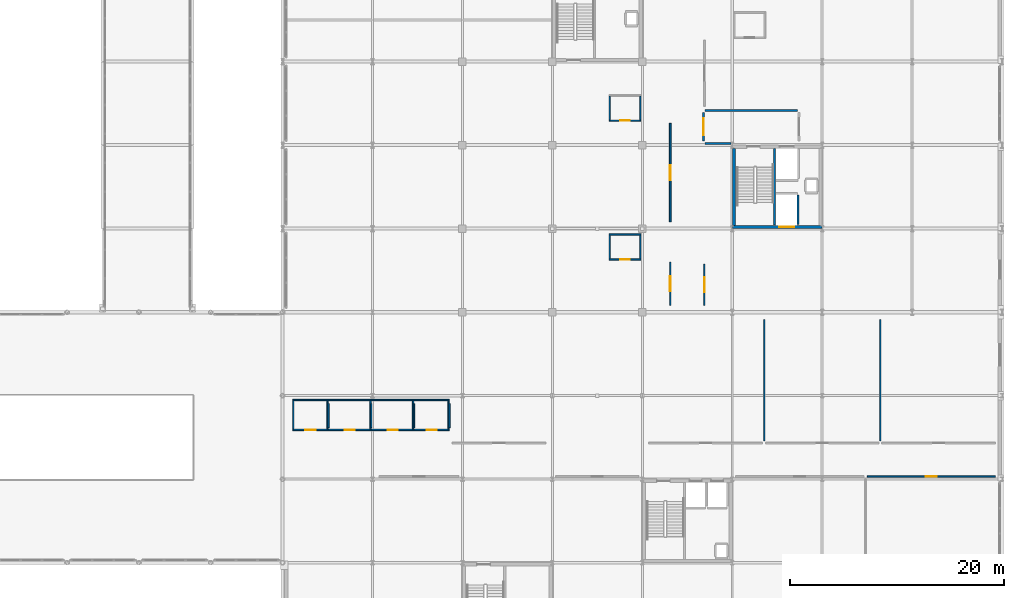
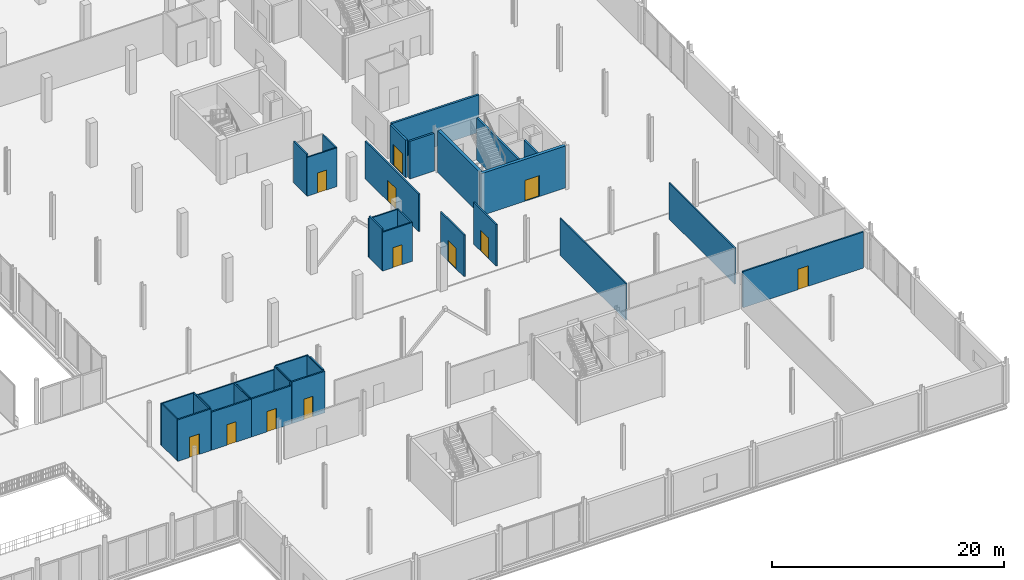
# One storey, part 73 of 98: 37 walls, 12 doors, 12 openings.
"""IFC4 building model written with IfcOpenShell, lengths in metres."""

from ifc_helpers import new_model, si_unit, direction, frame, frame_2d, origin, place, context, subcontext, project, spatial, rectangle, extrude, material, layer, layer_set, type_object, element, fill, save


model = new_model("IFC4")

# Units and contexts
model_context = context("Model", 3, precision=1e-05, world=origin(), true_north=direction((0.0, 1.0)))
body_context = subcontext(model_context, "Body", "Model", "MODEL_VIEW")
ifc_project = project(units=[si_unit("LENGTHUNIT", "METRE"), si_unit("AREAUNIT", "SQUARE_METRE"), si_unit("VOLUMEUNIT", "CUBIC_METRE"), si_unit("PLANEANGLEUNIT", "RADIAN"), si_unit("MASSUNIT", "GRAM", prefix="KILO")], contexts=[model_context])

# Site, building, storey
site_placement = place(None, origin())
site = spatial("IfcSite", under=ifc_project, at=site_placement, CompositionType="ELEMENT")
building_placement = place(site_placement, origin())
building = spatial("IfcBuilding", under=site, at=building_placement, Name="Nabrawat Pavilion Hospital", CompositionType="ELEMENT")
storey_placement = place(building_placement, frame((0.0, 0.0, 10.199951171875)))
storey = spatial("IfcBuildingStorey", under=building, at=storey_placement, Name="L02", CompositionType="ELEMENT", Elevation=10.199951171875)

# Wall, opening, door
ifc_material_1 = material(Name="Gypsum Fireboard on Steel Stud", Category="steel")
ifc_layer_1 = layer(ifc_material_1, 0.14990234375, Name="Gypsum Fireboard on Steel Stud")
ifc_layer_set_1 = layer_set([ifc_layer_1], Name="Gypsum Fireboard on Steel Stud")
wall_type_1 = type_object("IfcWallType", Name="Clinical Corridor Smoke-Barrier Wall 150", PredefinedType="PARTITIONING", material=ifc_layer_set_1)
wall_1_placement = place(storey_placement, frame((126.93505859375, 28.0, 0.0), z_axis=(0.0, 0.0, 1.0), x_axis=(1.0, 0.0, 0.0)))
wall_1 = element("IfcWall", 1, at=wall_1_placement, inside=storey, type_object=wall_type_1, Name="L02 L02 Accessible WC Front Partition", PredefinedType="PARTITIONING", context=body_context, shape_type="SweptSolid", body=[
    extrude(rectangle(XDim=3.329833984375, YDim=0.14990234375, at=frame_2d((1.6650390625, 0.0))), origin(), (0.0, 0.0, 1.0), 4.3701171875),
])
opening_1_placement = place(wall_1_placement, frame((1.1650390625, 0.0, 0.0)))
opening_1 = element("IfcOpeningElement", 2, at=opening_1_placement, cuts=wall_1, Name="Opening D-WC-ACC", PredefinedType="OPENING", context=body_context, shape_type="SweptSolid", body=[
    extrude(rectangle(XDim=1.0, YDim=2.14990234375, at=frame_2d((0.5, 1.074951171875))), frame((0.0, 0.0849609375, 0.0), z_axis=(0.0, -1.0, 0.0), x_axis=(1.0, 0.0, 0.0)), (0.0, 0.0, 1.0), 0.169921875),
])
ifc_material_2 = material(Name="Stainless-Clad Acoustic Timber and Vision Glass", Category="wood")
door_type_1 = type_object("IfcDoorType", Name="Accessible Washroom Outward Door 1000x2150", OperationType="NOTDEFINED", PredefinedType="DOOR", material=ifc_material_2)
door_1_placement = place(opening_1_placement, origin())
door_1 = element("IfcDoor", 3, at=door_1_placement, inside=storey, type_object=door_type_1, Name="L02 Accessible WC Door", OperationType="SINGLE_SWING_LEFT", OverallHeight=2.14990234375, OverallWidth=1.0, PredefinedType="DOOR", context=body_context, shape_type="SweptSolid", body=[
    extrude(rectangle(XDim=1.0, YDim=2.14990234375, at=frame_2d((0.5, 1.074951171875))), frame((0.0, 0.02490234375, 0.0), z_axis=(0.0, -1.0, 0.0), x_axis=(1.0, 0.0, 0.0)), (0.0, 0.0, 1.0), 0.050048828125),
])
fill(opening_1, door_1)

wall_2_placement = place(storey_placement, frame((130.294921875, 28.0, 0.0), z_axis=(0.0, 0.0, 1.0), x_axis=(1.0, 0.0, 0.0)))
wall_2 = element("IfcWall", 4, at=wall_2_placement, inside=storey, type_object=wall_type_1, Name="L02 L02 Visitor Female Washroom Front Partition", PredefinedType="PARTITIONING", context=body_context, shape_type="SweptSolid", body=[
    extrude(rectangle(XDim=3.969970703125, YDim=0.14990234375, at=frame_2d((1.98486328125, 0.0))), origin(), (0.0, 0.0, 1.0), 4.0),
])
opening_2_placement = place(wall_2_placement, frame((1.52490234375, 0.0, 0.0)))
opening_2 = element("IfcOpeningElement", 5, at=opening_2_placement, cuts=wall_2, Name="Opening D-WC-STD", PredefinedType="OPENING", context=body_context, shape_type="SweptSolid", body=[
    extrude(rectangle(XDim=0.919921875, YDim=2.14990234375, at=frame_2d((0.4599609375, 1.074951171875))), frame((0.0, 0.0849609375, 0.0), z_axis=(0.0, -1.0, 0.0), x_axis=(1.0, 0.0, 0.0)), (0.0, 0.0, 1.0), 0.169921875),
])
door_type_2 = type_object("IfcDoorType", Name="Washroom Lobby Privacy Door 920x2150", OperationType="NOTDEFINED", PredefinedType="DOOR", material=ifc_material_2)
door_2_placement = place(opening_2_placement, origin())
door_2 = element("IfcDoor", 6, at=door_2_placement, inside=storey, type_object=door_type_2, Name="L02 Visitor Female Washroom Door", OperationType="SINGLE_SWING_RIGHT", OverallHeight=2.14990234375, OverallWidth=0.919921875, PredefinedType="DOOR", context=body_context, shape_type="SweptSolid", body=[
    extrude(rectangle(XDim=0.919921875, YDim=2.14990234375, at=frame_2d((0.4599609375, 1.074951171875))), frame((0.0, 0.02490234375, 0.0), z_axis=(0.0, -1.0, 0.0), x_axis=(1.0, 0.0, 0.0)), (0.0, 0.0, 1.0), 0.050048828125),
])
fill(opening_2, door_2)

wall_3_placement = place(storey_placement, frame((134.294921875, 28.0, 0.0), z_axis=(0.0, 0.0, 1.0), x_axis=(1.0, 0.0, 0.0)))
wall_3 = element("IfcWall", 7, at=wall_3_placement, inside=storey, type_object=wall_type_1, Name="L02 L02 Visitor Male Washroom Front Partition", PredefinedType="PARTITIONING", context=body_context, shape_type="SweptSolid", body=[
    extrude(rectangle(XDim=3.969970703125, YDim=0.14990234375, at=frame_2d((1.98486328125, 0.0))), origin(), (0.0, 0.0, 1.0), 4.0),
])
opening_3_placement = place(wall_3_placement, frame((1.52490234375, 0.0, 0.0)))
opening_3 = element("IfcOpeningElement", 8, at=opening_3_placement, cuts=wall_3, Name="Opening D-WC-STD", PredefinedType="OPENING", context=body_context, shape_type="SweptSolid", body=[
    extrude(rectangle(XDim=0.919921875, YDim=2.14990234375, at=frame_2d((0.4599609375, 1.074951171875))), frame((0.0, 0.0849609375, 0.0), z_axis=(0.0, -1.0, 0.0), x_axis=(1.0, 0.0, 0.0)), (0.0, 0.0, 1.0), 0.169921875),
])
door_3_placement = place(opening_3_placement, origin())
door_3 = element("IfcDoor", 9, at=door_3_placement, inside=storey, type_object=door_type_2, Name="L02 Visitor Male Washroom Door", OperationType="SINGLE_SWING_LEFT", OverallHeight=2.14990234375, OverallWidth=0.919921875, PredefinedType="DOOR", context=body_context, shape_type="SweptSolid", body=[
    extrude(rectangle(XDim=0.919921875, YDim=2.14990234375, at=frame_2d((0.4599609375, 1.074951171875))), frame((0.0, 0.02490234375, 0.0), z_axis=(0.0, -1.0, 0.0), x_axis=(1.0, 0.0, 0.0)), (0.0, 0.0, 1.0), 0.050048828125),
])
fill(opening_3, door_3)

wall_4_placement = place(storey_placement, frame((138.294921875, 28.0, 0.0), z_axis=(0.0, 0.0, 1.0), x_axis=(1.0, 0.0, 0.0)))
wall_4 = element("IfcWall", 10, at=wall_4_placement, inside=storey, type_object=wall_type_1, Name="L02 L02 Clean Utility Room Front Partition", PredefinedType="PARTITIONING", context=body_context, shape_type="SweptSolid", body=[
    extrude(rectangle(XDim=3.27001953125, YDim=0.14990234375, at=frame_2d((1.635009765625, 0.0))), origin(), (0.0, 0.0, 1.0), 4.3701171875),
])
opening_4_placement = place(wall_4_placement, frame((1.175048828125, 0.0, 0.0)))
opening_4 = element("IfcOpeningElement", 11, at=opening_4_placement, cuts=wall_4, Name="Opening D-WC-STD", PredefinedType="OPENING", context=body_context, shape_type="SweptSolid", body=[
    extrude(rectangle(XDim=0.919921875, YDim=2.14990234375, at=frame_2d((0.4599609375, 1.074951171875))), frame((0.0, 0.0849609375, 0.0), z_axis=(0.0, -1.0, 0.0), x_axis=(1.0, 0.0, 0.0)), (0.0, 0.0, 1.0), 0.169921875),
])
door_4_placement = place(opening_4_placement, origin())
door_4 = element("IfcDoor", 12, at=door_4_placement, inside=storey, type_object=door_type_2, Name="L02 Clean Utility Room Door", OperationType="SINGLE_SWING_RIGHT", OverallHeight=2.14990234375, OverallWidth=0.919921875, PredefinedType="DOOR", context=body_context, shape_type="SweptSolid", body=[
    extrude(rectangle(XDim=0.919921875, YDim=2.14990234375, at=frame_2d((0.4599609375, 1.074951171875))), frame((0.0, 0.02490234375, 0.0), z_axis=(0.0, -1.0, 0.0), x_axis=(1.0, 0.0, 0.0)), (0.0, 0.0, 1.0), 0.050048828125),
])
fill(opening_4, door_4)

wall_5_placement = place(storey_placement, frame((180.610107421875, 23.635009765625, 0.0), z_axis=(0.0, 0.0, 1.0), x_axis=(1.0, 0.0, 0.0)))
wall_5 = element("IfcWall", 13, at=wall_5_placement, inside=storey, type_object=wall_type_1, Name="L02 Outpatient Clinic Behavioural Health Room L02-04 Front Partition", PredefinedType="PARTITIONING", context=body_context, shape_type="SweptSolid", body=[
    extrude(rectangle(XDim=11.969970703125, YDim=0.14990234375, at=frame_2d((5.98486328125, 0.0))), origin(), (0.0, 0.0, 1.0), 3.800048828125),
])
opening_5_placement = place(wall_5_placement, frame((5.4599609375, 0.0, 0.0)))
opening_5 = element("IfcOpeningElement", 14, at=opening_5_placement, cuts=wall_5, Name="Opening D-OPC-R", PredefinedType="OPENING", context=body_context, shape_type="SweptSolid", body=[
    extrude(rectangle(XDim=1.050048828125, YDim=2.14990234375, at=frame_2d((0.52490234375, 1.074951171875))), frame((0.0, 0.0849609375, 0.0), z_axis=(0.0, -1.0, 0.0), x_axis=(1.0, 0.0, 0.0)), (0.0, 0.0, 1.0), 0.169921875),
])
door_type_3 = type_object("IfcDoorType", Name="Outpatient Clinic Consultation Door R 1050x2150", OperationType="NOTDEFINED", PredefinedType="DOOR", material=ifc_material_2)
door_5_placement = place(opening_5_placement, origin())
door_5 = element("IfcDoor", 15, at=door_5_placement, inside=storey, type_object=door_type_3, Name="Outpatient Clinic Behavioural Health Room L02-04 Door", OperationType="SINGLE_SWING_LEFT", OverallHeight=2.14990234375, OverallWidth=1.050048828125, PredefinedType="DOOR", context=body_context, shape_type="SweptSolid", body=[
    extrude(rectangle(XDim=1.050048828125, YDim=2.14990234375, at=frame_2d((0.52490234375, 1.074951171875))), frame((0.0, 0.02490234375, 0.0), z_axis=(0.0, -1.0, 0.0), x_axis=(1.0, 0.0, 0.0)), (0.0, 0.0, 1.0), 0.050048828125),
])
fill(opening_5, door_5)

wall_6_placement = place(storey_placement, frame((162.2099609375, 39.6201171875, 0.0), z_axis=(0.0, 0.0, 1.0), x_axis=(0.0, 1.0, 0.0)))
wall_6 = element("IfcWall", 16, at=wall_6_placement, inside=storey, type_object=wall_type_1, Name="L02 Inpatient Ward Surgical Single Bedroom L02-01 Front Partition", PredefinedType="PARTITIONING", context=body_context, shape_type="SweptSolid", body=[
    extrude(rectangle(XDim=4.0498046875, YDim=0.14990234375, at=frame_2d((2.02490234375, 0.0))), origin(), (0.0, 0.0, 1.0), 4.3701171875),
])
opening_6_placement = place(wall_6_placement, frame((1.324951171875, 0.0, 0.0)))
opening_6 = element("IfcOpeningElement", 17, at=opening_6_placement, cuts=wall_6, Name="Opening D-BED", PredefinedType="OPENING", context=body_context, shape_type="SweptSolid", body=[
    extrude(rectangle(XDim=1.39990234375, YDim=2.199951171875, at=frame_2d((0.699951171875, 1.10009765625))), frame((0.0, 0.0849609375, 0.0), z_axis=(0.0, -1.0, 0.0), x_axis=(1.0, 0.0, 0.0)), (0.0, 0.0, 1.0), 0.169921875),
])
door_type_4 = type_object("IfcDoorType", Name="D-BED Inpatient Ward Leaf-and-a-Half Door 1400x2200", OperationType="NOTDEFINED", PredefinedType="DOOR", material=ifc_material_2)
door_6_placement = place(opening_6_placement, origin())
door_6 = element("IfcDoor", 18, at=door_6_placement, inside=storey, type_object=door_type_4, Name="Inpatient Ward Surgical Single Bedroom L02-01 Door", OperationType="SINGLE_SWING_RIGHT", OverallHeight=2.199951171875, OverallWidth=1.39990234375, PredefinedType="DOOR", context=body_context, shape_type="SweptSolid", body=[
    extrude(rectangle(XDim=1.39990234375, YDim=2.199951171875, at=frame_2d((0.699951171875, 1.10009765625))), frame((0.0, 0.02490234375, 0.0), z_axis=(0.0, -1.0, 0.0), x_axis=(1.0, 0.0, 0.0)), (0.0, 0.0, 1.0), 0.050048828125),
])
fill(opening_6, door_6)

wall_7_placement = place(storey_placement, frame((162.2099609375, 47.419921875, 0.0), z_axis=(0.0, 0.0, 1.0), x_axis=(0.0, 1.0, 0.0)))
wall_7 = element("IfcWall", 19, at=wall_7_placement, inside=storey, type_object=wall_type_1, Name="L02 Inpatient Ward Surgical Two-Bed Room L02-02 Front Partition", PredefinedType="PARTITIONING", context=body_context, shape_type="SweptSolid", body=[
    extrude(rectangle(XDim=9.219970703125, YDim=0.14990234375, at=frame_2d((4.60986328125, 0.0))), origin(), (0.0, 0.0, 1.0), 3.949951171875),
])
opening_7_placement = place(wall_7_placement, frame((3.909912109375, 0.0, 0.0)))
opening_7 = element("IfcOpeningElement", 20, at=opening_7_placement, cuts=wall_7, Name="Opening D-BED", PredefinedType="OPENING", context=body_context, shape_type="SweptSolid", body=[
    extrude(rectangle(XDim=1.39990234375, YDim=2.199951171875, at=frame_2d((0.699951171875, 1.10009765625))), frame((0.0, 0.0849609375, 0.0), z_axis=(0.0, -1.0, 0.0), x_axis=(1.0, 0.0, 0.0)), (0.0, 0.0, 1.0), 0.169921875),
])
door_7_placement = place(opening_7_placement, origin())
door_7 = element("IfcDoor", 21, at=door_7_placement, inside=storey, type_object=door_type_4, Name="Inpatient Ward Surgical Two-Bed Room L02-02 Door", OperationType="SINGLE_SWING_RIGHT", OverallHeight=2.199951171875, OverallWidth=1.39990234375, PredefinedType="DOOR", context=body_context, shape_type="SweptSolid", body=[
    extrude(rectangle(XDim=1.39990234375, YDim=2.199951171875, at=frame_2d((0.699951171875, 1.10009765625))), frame((0.0, 0.02490234375, 0.0), z_axis=(0.0, -1.0, 0.0), x_axis=(1.0, 0.0, 0.0)), (0.0, 0.0, 1.0), 0.050048828125),
])
fill(opening_7, door_7)

wall_8_placement = place(storey_placement, frame((165.389892578125, 39.6201171875, 0.0), z_axis=(0.0, 0.0, 1.0), x_axis=(0.0, 1.0, 0.0)))
wall_8 = element("IfcWall", 22, at=wall_8_placement, inside=storey, type_object=wall_type_1, Name="L02 Inpatient Ward Surgical Two-Bed Room L02-08 Front Partition", PredefinedType="PARTITIONING", context=body_context, shape_type="SweptSolid", body=[
    extrude(rectangle(XDim=3.8798828125, YDim=0.14990234375, at=frame_2d((1.93994140625, 0.0))), origin(), (0.0, 0.0, 1.0), 4.3701171875),
])
opening_8_placement = place(wall_8_placement, frame((1.239990234375, 0.0, 0.0)))
opening_8 = element("IfcOpeningElement", 23, at=opening_8_placement, cuts=wall_8, Name="Opening D-BED", PredefinedType="OPENING", context=body_context, shape_type="SweptSolid", body=[
    extrude(rectangle(XDim=1.39990234375, YDim=2.199951171875, at=frame_2d((0.699951171875, 1.10009765625))), frame((0.0, 0.0849609375, 0.0), z_axis=(0.0, -1.0, 0.0), x_axis=(1.0, 0.0, 0.0)), (0.0, 0.0, 1.0), 0.169921875),
])
door_8_placement = place(opening_8_placement, origin())
door_8 = element("IfcDoor", 24, at=door_8_placement, inside=storey, type_object=door_type_4, Name="Inpatient Ward Surgical Two-Bed Room L02-08 Door", OperationType="SINGLE_SWING_LEFT", OverallHeight=2.199951171875, OverallWidth=1.39990234375, PredefinedType="DOOR", context=body_context, shape_type="SweptSolid", body=[
    extrude(rectangle(XDim=1.39990234375, YDim=2.199951171875, at=frame_2d((0.699951171875, 1.10009765625))), frame((0.0, 0.02490234375, 0.0), z_axis=(0.0, -1.0, 0.0), x_axis=(1.0, 0.0, 0.0)), (0.0, 0.0, 1.0), 0.050048828125),
])
fill(opening_8, door_8)

# Walls
ifc_material_3 = material(Name="Cement Board on Steel Stud", Category="steel")
ifc_layer_2 = layer(ifc_material_3, 0.1298828125, Name="Cement Board on Steel Stud")
ifc_layer_set_2 = layer_set([ifc_layer_2], Name="Cement Board on Steel Stud")
wall_type_2 = type_object("IfcWallType", Name="En-Suite Moisture-Resistant Partition 130", PredefinedType="PARTITIONING", material=ifc_layer_set_2)
wall_9_placement = place(storey_placement, frame((126.93505859375, 30.800048828125, 0.0), z_axis=(0.0, 0.0, 1.0), x_axis=(1.0, 0.0, 0.0)))
element("IfcWall", 25, at=wall_9_placement, inside=storey, type_object=wall_type_2, Name="L02 L02 Accessible WC North Partition", PredefinedType="PARTITIONING", context=body_context, shape_type="SweptSolid", body=[
    extrude(rectangle(XDim=3.329833984375, YDim=0.1298828125, at=frame_2d((1.6650390625, 0.0))), origin(), (0.0, 0.0, 1.0), 4.3701171875),
])
for number, where, z_axis, x_axis, name in (
    (26, (127.0, 28.06494140625, 0.0), (0.0, 0.0, 1.0), (0.0, 1.0, 0.0), "L02 L02 Accessible WC West Partition"),
    (27, (130.199951171875, 28.06494140625, 0.0), (0.0, 0.0, 1.0), (0.0, 1.0, 0.0), "L02 L02 Accessible WC East Partition"),
):
    element("IfcWall", number, at=place(storey_placement, frame(where, z_axis=z_axis, x_axis=x_axis)), inside=storey, type_object=wall_type_2, Name=name, PredefinedType="PARTITIONING", context=body_context, shape_type="SweptSolid", body=[
        extrude(rectangle(XDim=2.670166015625, YDim=0.1298828125, at=frame_2d((1.3349609375, 0.0))), origin(), (0.0, 0.0, 1.0), 4.3701171875),
    ])
wall_10_placement = place(storey_placement, frame((130.280029296875, 28.219970703125, 0.0), z_axis=(0.0, 0.0, 1.0), x_axis=(0.0, 1.0, 0.0)))
element("IfcWall", 28, at=wall_10_placement, inside=storey, type_object=wall_type_2, Name="L02 L02 Accessible WC Dividing Partition", PredefinedType="PARTITIONING", context=body_context, shape_type="SweptSolid", body=[
    extrude(rectangle(XDim=2.22998046875, YDim=0.1298828125, at=frame_2d((1.114990234375, 0.0))), origin(), (0.0, 0.0, 1.0), 4.3701171875),
])
wall_11_placement = place(storey_placement, frame((130.294921875, 30.800048828125, 0.0), z_axis=(0.0, 0.0, 1.0), x_axis=(1.0, 0.0, 0.0)))
element("IfcWall", 29, at=wall_11_placement, inside=storey, type_object=wall_type_2, Name="L02 L02 Visitor Female Washroom North Partition", PredefinedType="PARTITIONING", context=body_context, shape_type="SweptSolid", body=[
    extrude(rectangle(XDim=3.969970703125, YDim=0.1298828125, at=frame_2d((1.98486328125, 0.0))), origin(), (0.0, 0.0, 1.0), 4.0),
])
wall_12_placement = place(storey_placement, frame((134.199951171875, 28.06494140625, 0.0), z_axis=(0.0, 0.0, 1.0), x_axis=(0.0, 1.0, 0.0)))
element("IfcWall", 30, at=wall_12_placement, inside=storey, type_object=wall_type_2, Name="L02 L02 Visitor Female Washroom East Partition", PredefinedType="PARTITIONING", context=body_context, shape_type="SweptSolid", body=[
    extrude(rectangle(XDim=2.670166015625, YDim=0.1298828125, at=frame_2d((1.3349609375, 0.0))), origin(), (0.0, 0.0, 1.0), 4.0),
])
wall_13_placement = place(storey_placement, frame((134.280029296875, 28.219970703125, 0.0), z_axis=(0.0, 0.0, 1.0), x_axis=(0.0, 1.0, 0.0)))
element("IfcWall", 31, at=wall_13_placement, inside=storey, type_object=wall_type_2, Name="L02 L02 Visitor Female Washroom Dividing Partition", PredefinedType="PARTITIONING", context=body_context, shape_type="SweptSolid", body=[
    extrude(rectangle(XDim=2.22998046875, YDim=0.1298828125, at=frame_2d((1.114990234375, 0.0))), origin(), (0.0, 0.0, 1.0), 4.0),
])
wall_14_placement = place(storey_placement, frame((134.294921875, 30.800048828125, 0.0), z_axis=(0.0, 0.0, 1.0), x_axis=(1.0, 0.0, 0.0)))
element("IfcWall", 32, at=wall_14_placement, inside=storey, type_object=wall_type_2, Name="L02 L02 Visitor Male Washroom North Partition", PredefinedType="PARTITIONING", context=body_context, shape_type="SweptSolid", body=[
    extrude(rectangle(XDim=3.969970703125, YDim=0.1298828125, at=frame_2d((1.98486328125, 0.0))), origin(), (0.0, 0.0, 1.0), 4.0),
])
wall_15_placement = place(storey_placement, frame((138.199951171875, 28.06494140625, 0.0), z_axis=(0.0, 0.0, 1.0), x_axis=(0.0, 1.0, 0.0)))
element("IfcWall", 33, at=wall_15_placement, inside=storey, type_object=wall_type_2, Name="L02 L02 Visitor Male Washroom East Partition", PredefinedType="PARTITIONING", context=body_context, shape_type="SweptSolid", body=[
    extrude(rectangle(XDim=2.670166015625, YDim=0.1298828125, at=frame_2d((1.3349609375, 0.0))), origin(), (0.0, 0.0, 1.0), 4.3701171875),
])
wall_16_placement = place(storey_placement, frame((138.280029296875, 28.219970703125, 0.0), z_axis=(0.0, 0.0, 1.0), x_axis=(0.0, 1.0, 0.0)))
element("IfcWall", 34, at=wall_16_placement, inside=storey, type_object=wall_type_2, Name="L02 L02 Visitor Male Washroom Dividing Partition", PredefinedType="PARTITIONING", context=body_context, shape_type="SweptSolid", body=[
    extrude(rectangle(XDim=2.22998046875, YDim=0.1298828125, at=frame_2d((1.114990234375, 0.0))), origin(), (0.0, 0.0, 1.0), 4.3701171875),
])
wall_17_placement = place(storey_placement, frame((138.294921875, 30.800048828125, 0.0), z_axis=(0.0, 0.0, 1.0), x_axis=(1.0, 0.0, 0.0)))
element("IfcWall", 35, at=wall_17_placement, inside=storey, type_object=wall_type_2, Name="L02 L02 Clean Utility Room North Partition", PredefinedType="PARTITIONING", context=body_context, shape_type="SweptSolid", body=[
    extrude(rectangle(XDim=3.27001953125, YDim=0.1298828125, at=frame_2d((1.635009765625, 0.0))), origin(), (0.0, 0.0, 1.0), 4.3701171875),
])
wall_18_placement = place(storey_placement, frame((141.5, 28.06494140625, 0.0), z_axis=(0.0, 0.0, 1.0), x_axis=(0.0, 1.0, 0.0)))
element("IfcWall", 36, at=wall_18_placement, inside=storey, type_object=wall_type_2, Name="L02 L02 Clean Utility Room East Partition", PredefinedType="PARTITIONING", context=body_context, shape_type="SweptSolid", body=[
    extrude(rectangle(XDim=2.670166015625, YDim=0.1298828125, at=frame_2d((1.3349609375, 0.0))), origin(), (0.0, 0.0, 1.0), 4.3701171875),
])
wall_19_placement = place(storey_placement, frame((141.580078125, 28.219970703125, 0.0), z_axis=(0.0, 0.0, 1.0), x_axis=(0.0, 1.0, 0.0)))
element("IfcWall", 37, at=wall_19_placement, inside=storey, type_object=wall_type_2, Name="L02 L02 Clean Utility Room Dividing Partition", PredefinedType="PARTITIONING", context=body_context, shape_type="SweptSolid", body=[
    extrude(rectangle(XDim=2.22998046875, YDim=0.1298828125, at=frame_2d((1.114990234375, 0.0))), origin(), (0.0, 0.0, 1.0), 4.3701171875),
])

# Wall, opening, door
wall_20_placement = place(storey_placement, frame((156.4951171875, 43.909912109375, 0.0), z_axis=(0.0, 0.0, 1.0), x_axis=(1.0, 0.0, 0.0)))
wall_20 = element("IfcWall", 38, at=wall_20_placement, inside=storey, type_object=wall_type_2, Name="L02 En-Suite Bathroom WRD-SRG-01 Front Partition", PredefinedType="PARTITIONING", context=body_context, shape_type="SweptSolid", body=[
    extrude(rectangle(XDim=2.97998046875, YDim=0.1298828125, at=frame_2d((1.489990234375, 0.0))), origin(), (0.0, 0.0, 1.0), 4.080078125),
])
opening_9_placement = place(wall_20_placement, frame((1.0400390625, 0.0, 0.0)))
opening_9 = element("IfcOpeningElement", 39, at=opening_9_placement, cuts=wall_20, Name="Opening D-ENS-R", PredefinedType="OPENING", context=body_context, shape_type="SweptSolid", body=[
    extrude(rectangle(XDim=0.89990234375, YDim=2.10009765625, at=frame_2d((0.449951171875, 1.050048828125))), frame((0.0, 0.074951171875, 0.0), z_axis=(0.0, -1.0, 0.0), x_axis=(1.0, 0.0, 0.0)), (0.0, 0.0, 1.0), 0.14990234375),
])
door_type_5 = type_object("IfcDoorType", Name="En-Suite Bathroom Outward Door R 900x2100", OperationType="NOTDEFINED", PredefinedType="DOOR", material=ifc_material_2)
door_9_placement = place(opening_9_placement, origin())
door_9 = element("IfcDoor", 40, at=door_9_placement, inside=storey, type_object=door_type_5, Name="En-Suite Bathroom WRD-SRG-01 Door", OperationType="SINGLE_SWING_LEFT", OverallHeight=2.10009765625, OverallWidth=0.89990234375, PredefinedType="DOOR", context=body_context, shape_type="SweptSolid", body=[
    extrude(rectangle(XDim=0.89990234375, YDim=2.10009765625, at=frame_2d((0.449951171875, 1.050048828125))), frame((0.0, 0.02490234375, 0.0), z_axis=(0.0, -1.0, 0.0), x_axis=(1.0, 0.0, 0.0)), (0.0, 0.0, 1.0), 0.050048828125),
])
fill(opening_9, door_9)

# Walls
wall_21_placement = place(storey_placement, frame((156.4951171875, 46.260009765625, 0.0), z_axis=(0.0, 0.0, 1.0), x_axis=(1.0, 0.0, 0.0)))
element("IfcWall", 41, at=wall_21_placement, inside=storey, type_object=wall_type_2, Name="L02 En-Suite Bathroom WRD-SRG-01 North Partition", PredefinedType="PARTITIONING", context=body_context, shape_type="SweptSolid", body=[
    extrude(rectangle(XDim=2.97998046875, YDim=0.1298828125, at=frame_2d((1.489990234375, 0.0))), origin(), (0.0, 0.0, 1.0), 4.080078125),
])
wall_22_placement = place(storey_placement, frame((156.56005859375, 43.97509765625, 0.0), z_axis=(0.0, 0.0, 1.0), x_axis=(0.0, 1.0, 0.0)))
element("IfcWall", 42, at=wall_22_placement, inside=storey, type_object=wall_type_2, Name="L02 En-Suite Bathroom WRD-SRG-01 West Partition", PredefinedType="PARTITIONING", context=body_context, shape_type="SweptSolid", body=[
    extrude(rectangle(XDim=2.219970703125, YDim=0.1298828125, at=frame_2d((1.10986328125, 0.0))), origin(), (0.0, 0.0, 1.0), 4.3701171875),
])
wall_23_placement = place(storey_placement, frame((159.409912109375, 43.97509765625, 0.0), z_axis=(0.0, 0.0, 1.0), x_axis=(0.0, 1.0, 0.0)))
element("IfcWall", 43, at=wall_23_placement, inside=storey, type_object=wall_type_2, Name="L02 En-Suite Bathroom WRD-SRG-01 East Partition", PredefinedType="PARTITIONING", context=body_context, shape_type="SweptSolid", body=[
    extrude(rectangle(XDim=2.219970703125, YDim=0.1298828125, at=frame_2d((1.10986328125, 0.0))), origin(), (0.0, 0.0, 1.0), 4.080078125),
])

# Wall, opening, door
wall_24_placement = place(storey_placement, frame((156.4951171875, 56.8798828125, 0.0), z_axis=(0.0, 0.0, 1.0), x_axis=(1.0, 0.0, 0.0)))
wall_24 = element("IfcWall", 44, at=wall_24_placement, inside=storey, type_object=wall_type_2, Name="L02 En-Suite Bathroom WRD-SR2-02 Front Partition", PredefinedType="PARTITIONING", context=body_context, shape_type="SweptSolid", body=[
    extrude(rectangle(XDim=2.97998046875, YDim=0.1298828125, at=frame_2d((1.489990234375, 0.0))), origin(), (0.0, 0.0, 1.0), 4.080078125),
])
opening_10_placement = place(wall_24_placement, frame((1.0400390625, 0.0, 0.0)))
opening_10 = element("IfcOpeningElement", 45, at=opening_10_placement, cuts=wall_24, Name="Opening D-ENS-R", PredefinedType="OPENING", context=body_context, shape_type="SweptSolid", body=[
    extrude(rectangle(XDim=0.89990234375, YDim=2.10009765625, at=frame_2d((0.449951171875, 1.050048828125))), frame((0.0, 0.074951171875, 0.0), z_axis=(0.0, -1.0, 0.0), x_axis=(1.0, 0.0, 0.0)), (0.0, 0.0, 1.0), 0.14990234375),
])
door_10_placement = place(opening_10_placement, origin())
door_10 = element("IfcDoor", 46, at=door_10_placement, inside=storey, type_object=door_type_5, Name="En-Suite Bathroom WRD-SR2-02 Door", OperationType="SINGLE_SWING_LEFT", OverallHeight=2.10009765625, OverallWidth=0.89990234375, PredefinedType="DOOR", context=body_context, shape_type="SweptSolid", body=[
    extrude(rectangle(XDim=0.89990234375, YDim=2.10009765625, at=frame_2d((0.449951171875, 1.050048828125))), frame((0.0, 0.02490234375, 0.0), z_axis=(0.0, -1.0, 0.0), x_axis=(1.0, 0.0, 0.0)), (0.0, 0.0, 1.0), 0.050048828125),
])
fill(opening_10, door_10)

# Walls
wall_25_placement = place(storey_placement, frame((156.56005859375, 56.945068359375, 0.0), z_axis=(0.0, 0.0, 1.0), x_axis=(0.0, 1.0, 0.0)))
element("IfcWall", 47, at=wall_25_placement, inside=storey, type_object=wall_type_2, Name="L02 En-Suite Bathroom WRD-SR2-02 West Partition", PredefinedType="PARTITIONING", context=body_context, shape_type="SweptSolid", body=[
    extrude(rectangle(XDim=2.219970703125, YDim=0.1298828125, at=frame_2d((1.10986328125, 0.0))), origin(), (0.0, 0.0, 1.0), 4.3701171875),
])
wall_26_placement = place(storey_placement, frame((159.409912109375, 56.945068359375, 0.0), z_axis=(0.0, 0.0, 1.0), x_axis=(0.0, 1.0, 0.0)))
element("IfcWall", 48, at=wall_26_placement, inside=storey, type_object=wall_type_2, Name="L02 En-Suite Bathroom WRD-SR2-02 East Partition", PredefinedType="PARTITIONING", context=body_context, shape_type="SweptSolid", body=[
    extrude(rectangle(XDim=2.219970703125, YDim=0.1298828125, at=frame_2d((1.10986328125, 0.0))), origin(), (0.0, 0.0, 1.0), 4.080078125),
])
ifc_material_4 = material(Name="Concrete C35/45", Category="concrete")
ifc_layer_3 = layer(ifc_material_4, 0.199951171875, Name="Concrete C35/45")
ifc_layer_set_3 = layer_set([ifc_layer_3], Name="Concrete C35/45")
wall_type_3 = type_object("IfcWallType", Name="Firefighting Lobby Compartment Wall 200", PredefinedType="PARTITIONING", material=ifc_layer_set_3)
wall_27_placement = place(storey_placement, frame((165.43994140625, 54.75, 0.0), z_axis=(0.0, 0.0, 1.0), x_axis=(1.0, 0.0, 0.0)))
element("IfcWall", 49, at=wall_27_placement, inside=storey, type_object=wall_type_3, Name="L02 CORE-5 Firefighting Lobby South Return Wall", PredefinedType="PARTITIONING", context=body_context, shape_type="SweptSolid", body=[
    extrude(rectangle(XDim=2.43994140625, YDim=0.199951171875, at=frame_2d((1.219970703125, 0.0))), origin(), (0.0, 0.0, 1.0), 3.949951171875),
])
wall_28_placement = place(storey_placement, frame((165.43994140625, 57.85009765625, 0.0), z_axis=(0.0, 0.0, 1.0), x_axis=(1.0, 0.0, 0.0)))
element("IfcWall", 50, at=wall_28_placement, inside=storey, type_object=wall_type_3, Name="L02 CORE-5 Firefighting Lobby North Compartment Wall", PredefinedType="PARTITIONING", context=body_context, shape_type="SweptSolid", body=[
    extrude(rectangle(XDim=8.66015625, YDim=0.199951171875, at=frame_2d((4.330078125, 0.0))), origin(), (0.0, 0.0, 1.0), 3.949951171875),
])

# Wall, opening, door
wall_29_placement = place(storey_placement, frame((165.320068359375, 55.0, 0.0), z_axis=(0.0, 0.0, 1.0), x_axis=(0.0, 1.0, 0.0)))
wall_29 = element("IfcWall", 51, at=wall_29_placement, inside=storey, type_object=wall_type_3, Name="L02 CORE-5 Firefighting Lobby West Compartment Wall", PredefinedType="PARTITIONING", context=body_context, shape_type="SweptSolid", body=[
    extrude(rectangle(XDim=2.64990234375, YDim=0.199951171875, at=frame_2d((1.324951171875, 0.0))), origin(), (0.0, 0.0, 1.0), 3.949951171875),
])
opening_11_placement = place(wall_29_placement, frame((0.52490234375, 0.0, 0.0)))
opening_11 = element("IfcOpeningElement", 52, at=opening_11_placement, cuts=wall_29, Name="Opening D-FFL", PredefinedType="OPENING", context=body_context, shape_type="SweptSolid", body=[
    extrude(rectangle(XDim=1.60009765625, YDim=2.199951171875, at=frame_2d((0.800048828125, 1.10009765625))), frame((0.0, 0.10986328125, 0.0), z_axis=(0.0, -1.0, 0.0), x_axis=(1.0, 0.0, 0.0)), (0.0, 0.0, 1.0), 0.219970703125),
])
door_type_6 = type_object("IfcDoorType", Name="D-FFL Firefighting Lobby Double Smoke Door 1600x2200", OperationType="NOTDEFINED", PredefinedType="DOOR", material=ifc_material_2)
door_11_placement = place(opening_11_placement, origin())
door_11 = element("IfcDoor", 53, at=door_11_placement, inside=storey, type_object=door_type_6, Name="L02 CORE-5 Firefighting Lobby West Smoke Door", OperationType="DOUBLE_DOOR_SINGLE_SWING", OverallHeight=2.199951171875, OverallWidth=1.60009765625, PredefinedType="DOOR", context=body_context, shape_type="SweptSolid", body=[
    extrude(rectangle(XDim=1.60009765625, YDim=2.199951171875, at=frame_2d((0.800048828125, 1.10009765625))), frame((0.0, 0.02490234375, 0.0), z_axis=(0.0, -1.0, 0.0), x_axis=(1.0, 0.0, 0.0)), (0.0, 0.0, 1.0), 0.050048828125),
])
fill(opening_11, door_11)

# Walls
ifc_layer_4 = layer(ifc_material_4, 0.199951171875, Name="Concrete C35/45")
ifc_layer_set_4 = layer_set([ifc_layer_4], Name="Concrete C35/45")
wall_type_4 = type_object("IfcWallType", Name="Lift and Riser Fire Shaft Wall 200", PredefinedType="PARTITIONING", material=ifc_layer_set_4)
wall_30_placement = place(storey_placement, frame((171.949951171875, 47.1201171875, 0.0), z_axis=(0.0, 0.0, 1.0), x_axis=(0.0, 1.0, 0.0)))
element("IfcWall", 54, at=wall_30_placement, inside=storey, type_object=wall_type_4, Name="L02 CORE-5 Stair-Lift Dividing Shear Wall", PredefinedType="SHEAR", context=body_context, shape_type="SweptSolid", body=[
    extrude(rectangle(XDim=7.159912109375, YDim=0.199951171875, at=frame_2d((3.580078125, 0.0))), origin(), (0.0, 0.0, 1.0), 4.41015625),
])
wall_31_placement = place(storey_placement, frame((174.139892578125, 47.179931640625, 0.0), z_axis=(0.0, 0.0, 1.0), x_axis=(0.0, 1.0, 0.0)))
element("IfcWall", 55, at=wall_31_placement, inside=storey, type_object=wall_type_4, Name="L02 Lift LB-03 Shaft East Wall", PredefinedType="PARTITIONING", context=body_context, shape_type="SweptSolid", body=[
    extrude(rectangle(XDim=2.739990234375, YDim=0.199951171875, at=frame_2d((1.3701171875, 0.0))), origin(), (0.0, 0.0, 1.0), 3.949951171875),
])
ifc_material_5 = material(Name="Gypsum Plasterboard on Stud", Category="gypsum")
ifc_layer_5 = layer(ifc_material_5, 0.1201171875, Name="Gypsum Plasterboard on Stud")
ifc_layer_set_5 = layer_set([ifc_layer_5], Name="Gypsum Plasterboard on Stud")
wall_type_5 = type_object("IfcWallType", Name="Outpatient Consultation Partition 120", PredefinedType="PARTITIONING", material=ifc_layer_set_5)
wall_32_placement = place(storey_placement, frame((170.97998046875, 26.985107421875, 0.0), z_axis=(0.0, 0.0, 1.0), x_axis=(0.0, 1.0, 0.0)))
element("IfcWall", 56, at=wall_32_placement, inside=storey, type_object=wall_type_5, Name="L02 Outpatient Minor Procedure Room L02-06 Dividing Partition", PredefinedType="PARTITIONING", context=body_context, shape_type="SweptSolid", body=[
    extrude(rectangle(XDim=11.324951171875, YDim=0.1201171875, at=frame_2d((5.66259765625, 0.0))), origin(), (0.0, 0.0, 1.0), 3.900146484375),
])
wall_33_placement = place(storey_placement, frame((181.820068359375, 26.985107421875, 0.0), z_axis=(0.0, 0.0, 1.0), x_axis=(0.0, 1.0, 0.0)))
element("IfcWall", 57, at=wall_33_placement, inside=storey, type_object=wall_type_5, Name="L02 Outpatient Clinic Maxillofacial Dental Suite L02-07 Dividing Partition", PredefinedType="PARTITIONING", context=body_context, shape_type="SweptSolid", body=[
    extrude(rectangle(XDim=11.324951171875, YDim=0.1201171875, at=frame_2d((5.66259765625, 0.0))), origin(), (0.0, 0.0, 1.0), 3.800048828125),
])

# Wall, opening, door
ifc_material_6 = material(Name="Concrete C40/50", Category="concrete")
ifc_layer_6 = layer(ifc_material_6, 0.300048828125, Name="Concrete C40/50")
ifc_layer_set_6 = layer_set([ifc_layer_6], Name="Concrete C40/50")
wall_type_6 = type_object("IfcWallType", Name="Reinforced Concrete Core Shear Wall 300", PredefinedType="SHEAR", material=ifc_layer_set_6)
wall_34_placement = place(storey_placement, frame((168.0, 46.949951171875, 0.0), z_axis=(0.0, 0.0, 1.0), x_axis=(1.0, 0.0, 0.0)))
wall_34 = element("IfcWall", 58, at=wall_34_placement, inside=storey, type_object=wall_type_6, Name="L02 CORE-5 South Core Shear Wall", PredefinedType="SHEAR", context=body_context, shape_type="SweptSolid", body=[
    extrude(rectangle(XDim=8.39990234375, YDim=0.300048828125, at=frame_2d((4.199951171875, 0.0))), origin(), (0.0, 0.0, 1.0), 4.41015625),
])
opening_12_placement = place(wall_34_placement, frame((4.3798828125, 0.0, 0.0)))
opening_12 = element("IfcOpeningElement", 59, at=opening_12_placement, cuts=wall_34, Name="Opening LD-LB-03", PredefinedType="OPENING", context=body_context, shape_type="SweptSolid", body=[
    extrude(rectangle(XDim=1.39990234375, YDim=2.199951171875, at=frame_2d((0.699951171875, 1.10009765625))), frame((0.0, 0.16015625, 0.0), z_axis=(0.0, -1.0, 0.0), x_axis=(1.0, 0.0, 0.0)), (0.0, 0.0, 1.0), 0.320068359375),
])
door_type_7 = type_object("IfcDoorType", Name="Hospital Bed Lift Sliding Landing Door 1400x2200", OperationType="DOUBLE_DOOR_SLIDING", PredefinedType="DOOR", material=ifc_material_2)
door_12_placement = place(opening_12_placement, origin())
door_12 = element("IfcDoor", 60, at=door_12_placement, inside=storey, type_object=door_type_7, Name="L02 Lift LB-03 Sliding Landing Door", OperationType="DOUBLE_DOOR_SLIDING", OverallHeight=2.199951171875, OverallWidth=1.39990234375, PredefinedType="DOOR", context=body_context, shape_type="SweptSolid", body=[
    extrude(rectangle(XDim=1.39990234375, YDim=2.199951171875, at=frame_2d((0.699951171875, 1.10009765625))), frame((0.0, 0.02490234375, 0.0), z_axis=(0.0, -1.0, 0.0), x_axis=(1.0, 0.0, 0.0)), (0.0, 0.0, 1.0), 0.050048828125),
])
fill(opening_12, door_12)

# Wall
wall_35_placement = place(storey_placement, frame((168.14990234375, 47.10009765625, 0.0), z_axis=(0.0, 0.0, 1.0), x_axis=(0.0, 1.0, 0.0)))
element("IfcWall", 61, at=wall_35_placement, inside=storey, type_object=wall_type_6, Name="L02 CORE-5 West Core Shear Wall", PredefinedType="SHEAR", context=body_context, shape_type="SweptSolid", body=[
    extrude(rectangle(XDim=7.199951171875, YDim=0.300048828125, at=frame_2d((3.60009765625, 0.0))), origin(), (0.0, 0.0, 1.0), 4.41015625),
])

save(model, "model.ifc")
